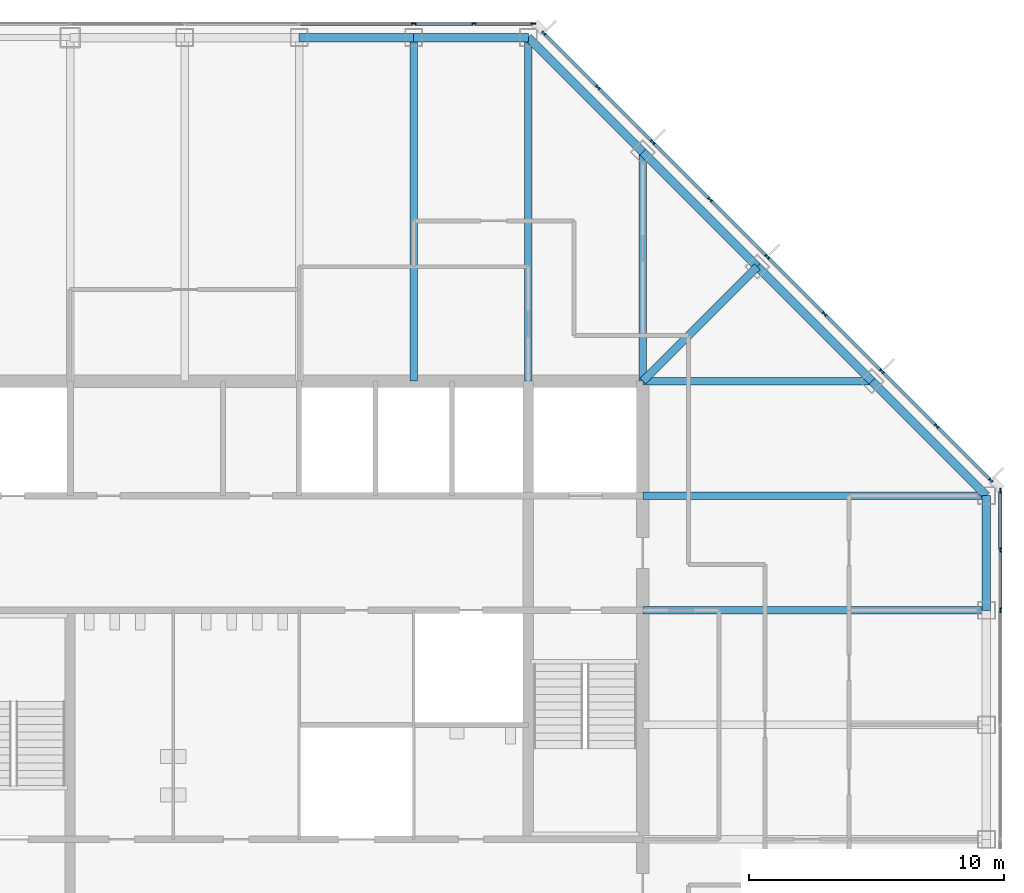
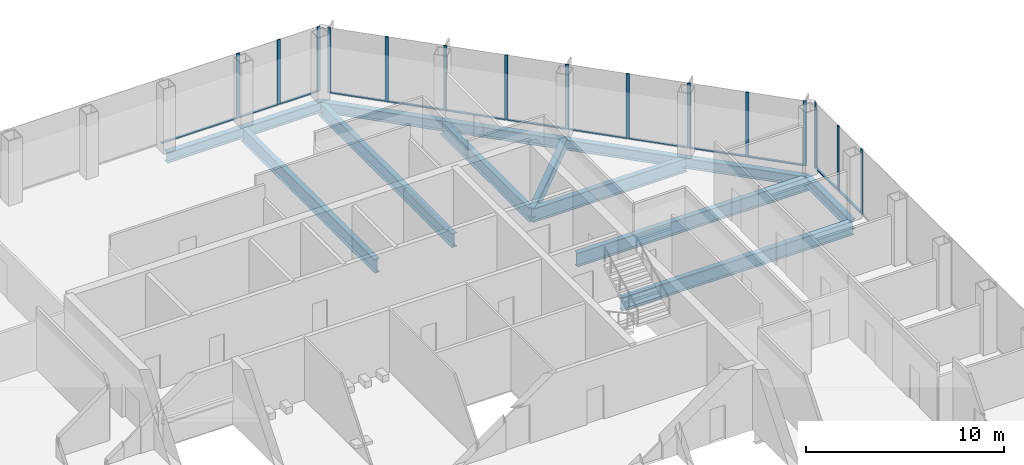
# One storey, part 6 of 13: 28 members, 14 beams, 3 elements without a shape of their own.
"""IFC4 building model written with IfcOpenShell, lengths in metres."""

from ifc_helpers import new_model, si_unit, direction, frame, origin, origin_2d, place, context, subcontext, project, spatial, rectangle, i_section, extrude, material, material_profile, profile_set, type_object, element, aggregate, save


model = new_model("IFC4")

# Units and contexts
model_context = context("Model", 3, precision=1e-05, world=origin(), true_north=direction((0.0, 1.0)))
body_context = subcontext(model_context, "Body", "Model", "MODEL_VIEW")
ifc_project = project(units=[si_unit("LENGTHUNIT", "METRE"), si_unit("AREAUNIT", "SQUARE_METRE"), si_unit("VOLUMEUNIT", "CUBIC_METRE"), si_unit("PLANEANGLEUNIT", "RADIAN"), si_unit("MASSUNIT", "GRAM", prefix="KILO")], contexts=[model_context])

# Site, building, storey
site_placement = place(None, origin())
site = spatial("IfcSite", under=ifc_project, at=site_placement, CompositionType="ELEMENT")
building_placement = place(site_placement, origin())
building = spatial("IfcBuilding", under=site, at=building_placement, Name="Corais Broadcast Tower", CompositionType="ELEMENT")
storey_placement = place(building_placement, frame((0.0, 0.0, 179.60009765625)))
storey = spatial("IfcBuildingStorey", under=building, at=storey_placement, Name="L41", CompositionType="ELEMENT", Elevation=179.60009765625)

# Beams
ifc_material_1 = material(Name="Steel ASTM A572 Grade 50", Category="steel")
ifc_material_profile_1 = material_profile(ifc_material_1, i_section(OverallWidth=0.323974609375, OverallDepth=0.611083984375, WebThickness=0.0126953125, FlangeThickness=0.01904296875, at=origin_2d()), Name="W610x155")
ifc_profile_set_1 = profile_set([ifc_material_profile_1], Name="Steel ASTM A572 Grade 50")
beam_type_1 = type_object("IfcBeamType", Name="Corner diagonal W610x155", PredefinedType="BEAM", material=ifc_profile_set_1)
beam_1_placement = place(storey_placement, frame((45.0, 45.0, -0.465576171875), z_axis=(-0.707106781187, -0.707106781187, 0.0), x_axis=(0.707106781187, -0.707106781187, 0.0)))
element("IfcBeam", 1, at=beam_1_placement, inside=storey, type_object=beam_type_1, Name="B6 L/13 to K/12", PredefinedType="BEAM", context=body_context, shape_type="SweptSolid", body=[
    extrude(i_section(OverallWidth=0.323974609375, OverallDepth=0.611083984375, WebThickness=0.0126953125, FlangeThickness=0.01904296875, at=origin_2d()), origin(), (0.0, 0.0, 1.0), 6.364013671875),
])
ifc_material_2 = material(Name="Steel ASTM A572 Grade 50", Category="steel")
ifc_material_profile_2 = material_profile(ifc_material_2, i_section(OverallWidth=0.2939453125, OverallDepth=0.85107421875, WebThickness=0.01611328125, FlangeThickness=0.02685546875, at=origin_2d()), Name="W840x226")
ifc_profile_set_2 = profile_set([ifc_material_profile_2], Name="Steel ASTM A572 Grade 50")
beam_type_2 = type_object("IfcBeamType", Name="Floor beam W840x226", PredefinedType="BEAM", material=ifc_profile_set_2)
for number, where, z_axis, x_axis, name in (
    (2, (31.5, 54.0, -0.585693359375), (0.0, -1.0, 0.0), (1.0, 0.0, 0.0), "B1 N/10 to K/10"),
    (3, (36.0, 54.0, -0.585693359375), (0.0, -1.0, 0.0), (1.0, 0.0, 0.0), "B1 N/11 to K/11"),
):
    element("IfcBeam", number, at=place(storey_placement, frame(where, z_axis=z_axis, x_axis=x_axis)), inside=storey, type_object=beam_type_2, Name=name, PredefinedType="BEAM", context=body_context, shape_type="SweptSolid", body=[
        extrude(i_section(OverallWidth=0.2939453125, OverallDepth=0.85107421875, WebThickness=0.01611328125, FlangeThickness=0.02685546875, at=origin_2d()), origin(), (0.0, 0.0, 1.0), 13.5),
    ])
for number, where, z_axis, x_axis, name in (
    (4, (40.5, 49.5, -0.585693359375), (0.0, -1.0, 0.0), (1.0, 0.0, 0.0), "B1 M/12 to K/12"),
    (5, (49.5, 40.5, -0.585693359375), (-1.0, 0.0, 0.0), (0.0, -1.0, 0.0), "B1 K/14 to K/12"),
):
    element("IfcBeam", number, at=place(storey_placement, frame(where, z_axis=z_axis, x_axis=x_axis)), inside=storey, type_object=beam_type_2, Name=name, PredefinedType="BEAM", context=body_context, shape_type="SweptSolid", body=[
        extrude(i_section(OverallWidth=0.2939453125, OverallDepth=0.85107421875, WebThickness=0.01611328125, FlangeThickness=0.02685546875, at=origin_2d()), origin(), (0.0, 0.0, 1.0), 9.0),
    ])
for number, where, z_axis, x_axis, name in (
    (6, (54.0, 31.5, -0.585693359375), (-1.0, 0.0, 0.0), (0.0, -1.0, 0.0), "B1 H/15 to H/12"),
    (7, (54.0, 36.0, -0.585693359375), (-1.0, 0.0, 0.0), (0.0, -1.0, 0.0), "B1 J/15 to J/12"),
):
    element("IfcBeam", number, at=place(storey_placement, frame(where, z_axis=z_axis, x_axis=x_axis)), inside=storey, type_object=beam_type_2, Name=name, PredefinedType="BEAM", context=body_context, shape_type="SweptSolid", body=[
        extrude(i_section(OverallWidth=0.2939453125, OverallDepth=0.85107421875, WebThickness=0.01611328125, FlangeThickness=0.02685546875, at=origin_2d()), origin(), (0.0, 0.0, 1.0), 13.5),
    ])

# Curtain wall, members
ifc_material_3 = material(Name="Aluminium and glass", Category="aluminium")
curtain_wall_type = type_object("IfcCurtainWallType", Name="Unitised fritted curtain wall CW2", PredefinedType="NOTDEFINED", material=ifc_material_3)
curtain_wall_1_placement = place(storey_placement, origin())
curtain_wall_1 = element("IfcCurtainWall", 8, at=curtain_wall_1_placement, inside=storey, type_object=curtain_wall_type, Name="CW2 curtain wall L41 4", PredefinedType="NOTDEFINED")
ifc_material_4 = material(Name="Aluminium 6063-T6", Category="aluminium")
ifc_material_profile_3 = material_profile(ifc_material_4, rectangle(XDim=0.06494140625, YDim=0.179931640625, at=origin_2d()), Name="Mullion CW2 65x180")
ifc_profile_set_3 = profile_set([ifc_material_profile_3], Name="Aluminium 6063-T6")
member_type_1 = type_object("IfcMemberType", Name="Mullion CW2 65x180", PredefinedType="MULLION", material=ifc_profile_set_3)
member_1_placement = place(storey_placement, frame((31.5, 54.550048828125, 0.0), z_axis=(0.0, 0.0, 1.0), x_axis=(0.0, 1.0, 0.0)))
member_1 = element("IfcMember", 9, at=member_1_placement, type_object=member_type_1, Name="CW2 mullion 7", PredefinedType="MULLION", context=body_context, shape_type="SweptSolid", body=[
    extrude(rectangle(XDim=0.06494140625, YDim=0.179931640625, at=origin_2d()), origin(), (0.0, 0.0, 1.0), 4.0),
])
member_2_placement = place(storey_placement, frame((33.864013671875, 54.550048828125, 0.0), z_axis=(0.0, 0.0, 1.0), x_axis=(0.0, 1.0, 0.0)))
member_2 = element("IfcMember", 10, at=member_2_placement, type_object=member_type_1, Name="CW2 mullion 8", PredefinedType="MULLION", context=body_context, shape_type="SweptSolid", body=[
    extrude(rectangle(XDim=0.06494140625, YDim=0.179931640625, at=origin_2d()), origin(), (0.0, 0.0, 1.0), 4.0),
])
member_3_placement = place(storey_placement, frame((36.1953125, 54.550048828125, 0.0), z_axis=(0.0, 0.0, 1.0), x_axis=(0.0, 1.0, 0.0)))
member_3 = element("IfcMember", 11, at=member_3_placement, type_object=member_type_1, Name="CW2 mullion 9", PredefinedType="MULLION", context=body_context, shape_type="SweptSolid", body=[
    extrude(rectangle(XDim=0.06494140625, YDim=0.179931640625, at=origin_2d()), origin(), (0.0, 0.0, 1.0), 4.0),
])

curtain_wall_2_placement = place(storey_placement, origin())
curtain_wall_2 = element("IfcCurtainWall", 12, at=curtain_wall_2_placement, inside=storey, type_object=curtain_wall_type, Name="CW2 curtain wall L41 5", PredefinedType="NOTDEFINED")
member_4_placement = place(storey_placement, frame((36.6044921875, 54.17333984375, 0.0), z_axis=(0.0, 0.0, 1.0), x_axis=(0.707106781187, 0.707106781187, 0.0)))
member_4 = element("IfcMember", 13, at=member_4_placement, type_object=member_type_1, Name="CW2 mullion 1", PredefinedType="MULLION", context=body_context, shape_type="SweptSolid", body=[
    extrude(rectangle(XDim=0.06494140625, YDim=0.179931640625, at=origin_2d()), origin(), (0.0, 0.0, 1.0), 4.0),
])
member_5_placement = place(storey_placement, frame((38.735107421875, 52.042724609375, 0.0), z_axis=(0.0, 0.0, 1.0), x_axis=(0.707106781187, 0.707106781187, 0.0)))
member_5 = element("IfcMember", 14, at=member_5_placement, type_object=member_type_1, Name="CW2 mullion 2", PredefinedType="MULLION", context=body_context, shape_type="SweptSolid", body=[
    extrude(rectangle(XDim=0.06494140625, YDim=0.179931640625, at=origin_2d()), origin(), (0.0, 0.0, 1.0), 4.0),
])
member_6_placement = place(storey_placement, frame((40.888916015625, 49.888916015625, 0.0), z_axis=(0.0, 0.0, 1.0), x_axis=(0.707106781187, 0.707106781187, 0.0)))
member_6 = element("IfcMember", 15, at=member_6_placement, type_object=member_type_1, Name="CW2 mullion 3", PredefinedType="MULLION", context=body_context, shape_type="SweptSolid", body=[
    extrude(rectangle(XDim=0.06494140625, YDim=0.179931640625, at=origin_2d()), origin(), (0.0, 0.0, 1.0), 4.0),
])
member_7_placement = place(storey_placement, frame((43.138916015625, 47.638916015625, 0.0), z_axis=(0.0, 0.0, 1.0), x_axis=(0.707106781187, 0.707106781187, 0.0)))
member_7 = element("IfcMember", 16, at=member_7_placement, type_object=member_type_1, Name="CW2 mullion 4", PredefinedType="MULLION", context=body_context, shape_type="SweptSolid", body=[
    extrude(rectangle(XDim=0.06494140625, YDim=0.179931640625, at=origin_2d()), origin(), (0.0, 0.0, 1.0), 4.0),
])
member_8_placement = place(storey_placement, frame((45.388916015625, 45.388916015625, 0.0), z_axis=(0.0, 0.0, 1.0), x_axis=(0.707106781187, 0.707106781187, 0.0)))
member_8 = element("IfcMember", 17, at=member_8_placement, type_object=member_type_1, Name="CW2 mullion 5", PredefinedType="MULLION", context=body_context, shape_type="SweptSolid", body=[
    extrude(rectangle(XDim=0.06494140625, YDim=0.179931640625, at=origin_2d()), origin(), (0.0, 0.0, 1.0), 4.0),
])
member_9_placement = place(storey_placement, frame((47.638916015625, 43.138916015625, 0.0), z_axis=(0.0, 0.0, 1.0), x_axis=(0.707106781187, 0.707106781187, 0.0)))
member_9 = element("IfcMember", 18, at=member_9_placement, type_object=member_type_1, Name="CW2 mullion 6", PredefinedType="MULLION", context=body_context, shape_type="SweptSolid", body=[
    extrude(rectangle(XDim=0.06494140625, YDim=0.179931640625, at=origin_2d()), origin(), (0.0, 0.0, 1.0), 4.0),
])
member_10_placement = place(storey_placement, frame((49.888916015625, 40.888916015625, 0.0), z_axis=(0.0, 0.0, 1.0), x_axis=(0.707106781187, 0.707106781187, 0.0)))
member_10 = element("IfcMember", 19, at=member_10_placement, type_object=member_type_1, Name="CW2 mullion 7", PredefinedType="MULLION", context=body_context, shape_type="SweptSolid", body=[
    extrude(rectangle(XDim=0.06494140625, YDim=0.179931640625, at=origin_2d()), origin(), (0.0, 0.0, 1.0), 4.0),
])
member_11_placement = place(storey_placement, frame((52.042724609375, 38.735107421875, 0.0), z_axis=(0.0, 0.0, 1.0), x_axis=(0.707106781187, 0.707106781187, 0.0)))
member_11 = element("IfcMember", 20, at=member_11_placement, type_object=member_type_1, Name="CW2 mullion 8", PredefinedType="MULLION", context=body_context, shape_type="SweptSolid", body=[
    extrude(rectangle(XDim=0.06494140625, YDim=0.179931640625, at=origin_2d()), origin(), (0.0, 0.0, 1.0), 4.0),
])
member_12_placement = place(storey_placement, frame((54.17333984375, 36.6044921875, 0.0), z_axis=(0.0, 0.0, 1.0), x_axis=(0.707106781187, 0.707106781187, 0.0)))
member_12 = element("IfcMember", 21, at=member_12_placement, type_object=member_type_1, Name="CW2 mullion 9", PredefinedType="MULLION", context=body_context, shape_type="SweptSolid", body=[
    extrude(rectangle(XDim=0.06494140625, YDim=0.179931640625, at=origin_2d()), origin(), (0.0, 0.0, 1.0), 4.0),
])

curtain_wall_3_placement = place(storey_placement, origin())
curtain_wall_3 = element("IfcCurtainWall", 22, at=curtain_wall_3_placement, inside=storey, type_object=curtain_wall_type, Name="CW2 curtain wall L41 6", PredefinedType="NOTDEFINED")
member_13_placement = place(storey_placement, frame((54.550048828125, 36.1953125, 0.0), z_axis=(0.0, 0.0, 1.0), x_axis=(1.0, 0.0, 0.0)))
member_13 = element("IfcMember", 23, at=member_13_placement, type_object=member_type_1, Name="CW2 mullion 1", PredefinedType="MULLION", context=body_context, shape_type="SweptSolid", body=[
    extrude(rectangle(XDim=0.06494140625, YDim=0.179931640625, at=origin_2d()), origin(), (0.0, 0.0, 1.0), 4.0),
])
member_14_placement = place(storey_placement, frame((54.550048828125, 33.864013671875, 0.0), z_axis=(0.0, 0.0, 1.0), x_axis=(1.0, 0.0, 0.0)))
member_14 = element("IfcMember", 24, at=member_14_placement, type_object=member_type_1, Name="CW2 mullion 2", PredefinedType="MULLION", context=body_context, shape_type="SweptSolid", body=[
    extrude(rectangle(XDim=0.06494140625, YDim=0.179931640625, at=origin_2d()), origin(), (0.0, 0.0, 1.0), 4.0),
])
member_15_placement = place(storey_placement, frame((54.550048828125, 31.5, 0.0), z_axis=(0.0, 0.0, 1.0), x_axis=(1.0, 0.0, 0.0)))
member_15 = element("IfcMember", 25, at=member_15_placement, type_object=member_type_1, Name="CW2 mullion 3", PredefinedType="MULLION", context=body_context, shape_type="SweptSolid", body=[
    extrude(rectangle(XDim=0.06494140625, YDim=0.179931640625, at=origin_2d()), origin(), (0.0, 0.0, 1.0), 4.0),
])

# Beams
ifc_material_5 = material(Name="Steel ASTM A572 Grade 50", Category="steel")
ifc_material_profile_4 = material_profile(ifc_material_5, i_section(OverallWidth=0.3291015625, OverallDepth=0.635009765625, WebThickness=0.017822265625, FlangeThickness=0.031005859375, at=origin_2d()), Name="W610x241")
ifc_profile_set_4 = profile_set([ifc_material_profile_4], Name="Steel ASTM A572 Grade 50")
beam_type_3 = type_object("IfcBeamType", Name="Spandrel W610x241", PredefinedType="BEAM", material=ifc_profile_set_4)
for number, where, z_axis, x_axis, name in (
    (26, (31.5, 54.0, -0.4775390625), (-1.0, 0.0, 0.0), (0.0, -1.0, 0.0), "SB1 N/10 to N/9"),
    (27, (36.0, 54.0, -0.4775390625), (-1.0, 0.0, 0.0), (0.0, -1.0, 0.0), "SB1 N/11 to N/10"),
):
    element("IfcBeam", number, at=place(storey_placement, frame(where, z_axis=z_axis, x_axis=x_axis)), inside=storey, type_object=beam_type_3, Name=name, PredefinedType="BEAM", context=body_context, shape_type="SweptSolid", body=[
        extrude(i_section(OverallWidth=0.3291015625, OverallDepth=0.635009765625, WebThickness=0.017822265625, FlangeThickness=0.031005859375, at=origin_2d()), origin(), (0.0, 0.0, 1.0), 4.5),
    ])
for number, where, z_axis, x_axis, name in (
    (28, (40.5, 49.5, -0.4775390625), (-0.707106781187, 0.707106781187, 0.0), (-0.707106781187, -0.707106781187, 0.0), "SB1 M/12 to N/11"),
    (29, (45.0, 45.0, -0.4775390625), (-0.707106781187, 0.707106781187, 0.0), (-0.707106781187, -0.707106781187, 0.0), "SB1 L/13 to M/12"),
    (30, (49.5, 40.5, -0.4775390625), (-0.707106781187, 0.707106781187, 0.0), (-0.707106781187, -0.707106781187, 0.0), "SB1 K/14 to L/13"),
):
    element("IfcBeam", number, at=place(storey_placement, frame(where, z_axis=z_axis, x_axis=x_axis)), inside=storey, type_object=beam_type_3, Name=name, PredefinedType="BEAM", context=body_context, shape_type="SweptSolid", body=[
        extrude(i_section(OverallWidth=0.3291015625, OverallDepth=0.635009765625, WebThickness=0.017822265625, FlangeThickness=0.031005859375, at=origin_2d()), origin(), (0.0, 0.0, 1.0), 6.364013671875),
    ])
beam_2_placement = place(storey_placement, frame((54.0, 31.5, -0.4775390625), z_axis=(0.0, 1.0, 0.0), x_axis=(-1.0, 0.0, 0.0)))
element("IfcBeam", 31, at=beam_2_placement, inside=storey, type_object=beam_type_3, Name="SB1 H/15 to J/15", PredefinedType="BEAM", context=body_context, shape_type="SweptSolid", body=[
    extrude(i_section(OverallWidth=0.3291015625, OverallDepth=0.635009765625, WebThickness=0.017822265625, FlangeThickness=0.031005859375, at=origin_2d()), origin(), (0.0, 0.0, 1.0), 4.5),
])
beam_3_placement = place(storey_placement, frame((54.0, 36.0, -0.4775390625), z_axis=(-0.707106781187, 0.707106781187, 0.0), x_axis=(-0.707106781187, -0.707106781187, 0.0)))
element("IfcBeam", 32, at=beam_3_placement, inside=storey, type_object=beam_type_3, Name="SB1 J/15 to K/14", PredefinedType="BEAM", context=body_context, shape_type="SweptSolid", body=[
    extrude(i_section(OverallWidth=0.3291015625, OverallDepth=0.635009765625, WebThickness=0.017822265625, FlangeThickness=0.031005859375, at=origin_2d()), origin(), (0.0, 0.0, 1.0), 6.364013671875),
])

# Member
ifc_material_6 = material(Name="Aluminium 6063-T6", Category="aluminium")
ifc_material_profile_5 = material_profile(ifc_material_6, rectangle(XDim=0.1298828125, YDim=0.06494140625, at=origin_2d()), Name="Transom CW2 65x130")
ifc_profile_set_5 = profile_set([ifc_material_profile_5], Name="Aluminium 6063-T6")
member_type_2 = type_object("IfcMemberType", Name="Transom CW2 65x130", PredefinedType="USERDEFINED", material=ifc_profile_set_5)
member_16_placement = place(storey_placement, frame((27.032470703125, 54.550048828125, 0.032470703125), z_axis=(1.0, 0.0, 0.0), x_axis=(0.0, 1.0, 0.0)))
member_16 = element("IfcMember", 33, at=member_16_placement, type_object=member_type_2, Name="CW2 transom 6.1", ObjectType="TRANSOM", PredefinedType="USERDEFINED", context=body_context, shape_type="SweptSolid", body=[
    extrude(rectangle(XDim=0.1298828125, YDim=0.06494140625, at=origin_2d()), origin(), (0.0, 0.0, 1.0), 4.43505859375),
])

member_17_placement = place(storey_placement, frame((31.532470703125, 54.550048828125, 0.032470703125), z_axis=(1.0, 0.0, 0.0), x_axis=(0.0, 1.0, 0.0)))
member_17 = element("IfcMember", 34, at=member_17_placement, type_object=member_type_2, Name="CW2 transom 7.1", ObjectType="TRANSOM", PredefinedType="USERDEFINED", context=body_context, shape_type="SweptSolid", body=[
    extrude(rectangle(XDim=0.1298828125, YDim=0.06494140625, at=origin_2d()), origin(), (0.0, 0.0, 1.0), 2.298828125),
])

member_18_placement = place(storey_placement, frame((33.896484375, 54.550048828125, 0.032470703125), z_axis=(1.0, 0.0, 0.0), x_axis=(0.0, 1.0, 0.0)))
member_18 = element("IfcMember", 35, at=member_18_placement, type_object=member_type_2, Name="CW2 transom 8.1", ObjectType="TRANSOM", PredefinedType="USERDEFINED", context=body_context, shape_type="SweptSolid", body=[
    extrude(rectangle(XDim=0.1298828125, YDim=0.06494140625, at=origin_2d()), origin(), (0.0, 0.0, 1.0), 2.266357421875),
])

aggregate(curtain_wall_1, [member_1, member_2, member_3, member_16, member_17, member_18])

member_19_placement = place(storey_placement, frame((36.62744140625, 54.150390625, 0.032470703125), z_axis=(0.707106781187, -0.707106781187, 0.0), x_axis=(0.707106781187, 0.707106781187, 0.0)))
member_19 = element("IfcMember", 36, at=member_19_placement, type_object=member_type_2, Name="CW2 transom 1.1", ObjectType="TRANSOM", PredefinedType="USERDEFINED", context=body_context, shape_type="SweptSolid", body=[
    extrude(rectangle(XDim=0.1298828125, YDim=0.06494140625, at=origin_2d()), origin(), (0.0, 0.0, 1.0), 2.9482421875),
])

member_20_placement = place(storey_placement, frame((38.758056640625, 52.019775390625, 0.032470703125), z_axis=(0.707106781187, -0.707106781187, 0.0), x_axis=(0.707106781187, 0.707106781187, 0.0)))
member_20 = element("IfcMember", 37, at=member_20_placement, type_object=member_type_2, Name="CW2 transom 2.1", ObjectType="TRANSOM", PredefinedType="USERDEFINED", context=body_context, shape_type="SweptSolid", body=[
    extrude(rectangle(XDim=0.1298828125, YDim=0.06494140625, at=origin_2d()), origin(), (0.0, 0.0, 1.0), 2.98095703125),
])

member_21_placement = place(storey_placement, frame((40.911865234375, 49.865966796875, 0.032470703125), z_axis=(0.707106781187, -0.707106781187, 0.0), x_axis=(0.707106781187, 0.707106781187, 0.0)))
member_21 = element("IfcMember", 38, at=member_21_placement, type_object=member_type_2, Name="CW2 transom 3.1", ObjectType="TRANSOM", PredefinedType="USERDEFINED", context=body_context, shape_type="SweptSolid", body=[
    extrude(rectangle(XDim=0.1298828125, YDim=0.06494140625, at=origin_2d()), origin(), (0.0, 0.0, 1.0), 3.1171875),
])

member_22_placement = place(storey_placement, frame((43.161865234375, 47.615966796875, 0.032470703125), z_axis=(0.707106781187, -0.707106781187, 0.0), x_axis=(0.707106781187, 0.707106781187, 0.0)))
member_22 = element("IfcMember", 39, at=member_22_placement, type_object=member_type_2, Name="CW2 transom 4.1", ObjectType="TRANSOM", PredefinedType="USERDEFINED", context=body_context, shape_type="SweptSolid", body=[
    extrude(rectangle(XDim=0.1298828125, YDim=0.06494140625, at=origin_2d()), origin(), (0.0, 0.0, 1.0), 3.1171875),
])

member_23_placement = place(storey_placement, frame((45.411865234375, 45.365966796875, 0.032470703125), z_axis=(0.707106781187, -0.707106781187, 0.0), x_axis=(0.707106781187, 0.707106781187, 0.0)))
member_23 = element("IfcMember", 40, at=member_23_placement, type_object=member_type_2, Name="CW2 transom 5.1", ObjectType="TRANSOM", PredefinedType="USERDEFINED", context=body_context, shape_type="SweptSolid", body=[
    extrude(rectangle(XDim=0.1298828125, YDim=0.06494140625, at=origin_2d()), origin(), (0.0, 0.0, 1.0), 3.1171875),
])

member_24_placement = place(storey_placement, frame((47.661865234375, 43.115966796875, 0.032470703125), z_axis=(0.707106781187, -0.707106781187, 0.0), x_axis=(0.707106781187, 0.707106781187, 0.0)))
member_24 = element("IfcMember", 41, at=member_24_placement, type_object=member_type_2, Name="CW2 transom 6.1", ObjectType="TRANSOM", PredefinedType="USERDEFINED", context=body_context, shape_type="SweptSolid", body=[
    extrude(rectangle(XDim=0.1298828125, YDim=0.06494140625, at=origin_2d()), origin(), (0.0, 0.0, 1.0), 3.1171875),
])

member_25_placement = place(storey_placement, frame((49.911865234375, 40.865966796875, 0.032470703125), z_axis=(0.707065828661, -0.70714773134, 0.0), x_axis=(0.70714773134, 0.707065828661, 0.0)))
member_25 = element("IfcMember", 42, at=member_25_placement, type_object=member_type_2, Name="CW2 transom 7.1", ObjectType="TRANSOM", PredefinedType="USERDEFINED", context=body_context, shape_type="SweptSolid", body=[
    extrude(rectangle(XDim=0.1298828125, YDim=0.06494140625, at=origin_2d()), origin(), (0.0, 0.0, 1.0), 2.98095703125),
])

member_26_placement = place(storey_placement, frame((52.065673828125, 38.712158203125, 0.032470703125), z_axis=(0.707106781187, -0.707106781187, 0.0), x_axis=(0.707106781187, 0.707106781187, 0.0)))
member_26 = element("IfcMember", 43, at=member_26_placement, type_object=member_type_2, Name="CW2 transom 8.1", ObjectType="TRANSOM", PredefinedType="USERDEFINED", context=body_context, shape_type="SweptSolid", body=[
    extrude(rectangle(XDim=0.1298828125, YDim=0.06494140625, at=origin_2d()), origin(), (0.0, 0.0, 1.0), 2.9482421875),
])

aggregate(curtain_wall_2, [member_4, member_5, member_6, member_7, member_8, member_9, member_10, member_11, member_12, member_19, member_20, member_21, member_22, member_23, member_24, member_25, member_26])

member_27_placement = place(storey_placement, frame((54.550048828125, 36.162841796875, 0.032470703125), z_axis=(0.0, -1.0, 0.0), x_axis=(1.0, 0.0, 0.0)))
member_27 = element("IfcMember", 44, at=member_27_placement, type_object=member_type_2, Name="CW2 transom 1.1", ObjectType="TRANSOM", PredefinedType="USERDEFINED", context=body_context, shape_type="SweptSolid", body=[
    extrude(rectangle(XDim=0.1298828125, YDim=0.06494140625, at=origin_2d()), origin(), (0.0, 0.0, 1.0), 2.266357421875),
])

member_28_placement = place(storey_placement, frame((54.550048828125, 33.831298828125, 0.032470703125), z_axis=(0.0, -1.0, 0.0), x_axis=(1.0, 0.0, 0.0)))
member_28 = element("IfcMember", 45, at=member_28_placement, type_object=member_type_2, Name="CW2 transom 2.1", ObjectType="TRANSOM", PredefinedType="USERDEFINED", context=body_context, shape_type="SweptSolid", body=[
    extrude(rectangle(XDim=0.1298828125, YDim=0.06494140625, at=origin_2d()), origin(), (0.0, 0.0, 1.0), 2.298828125),
])

aggregate(curtain_wall_3, [member_13, member_14, member_15, member_27, member_28])

save(model, "model.ifc")
